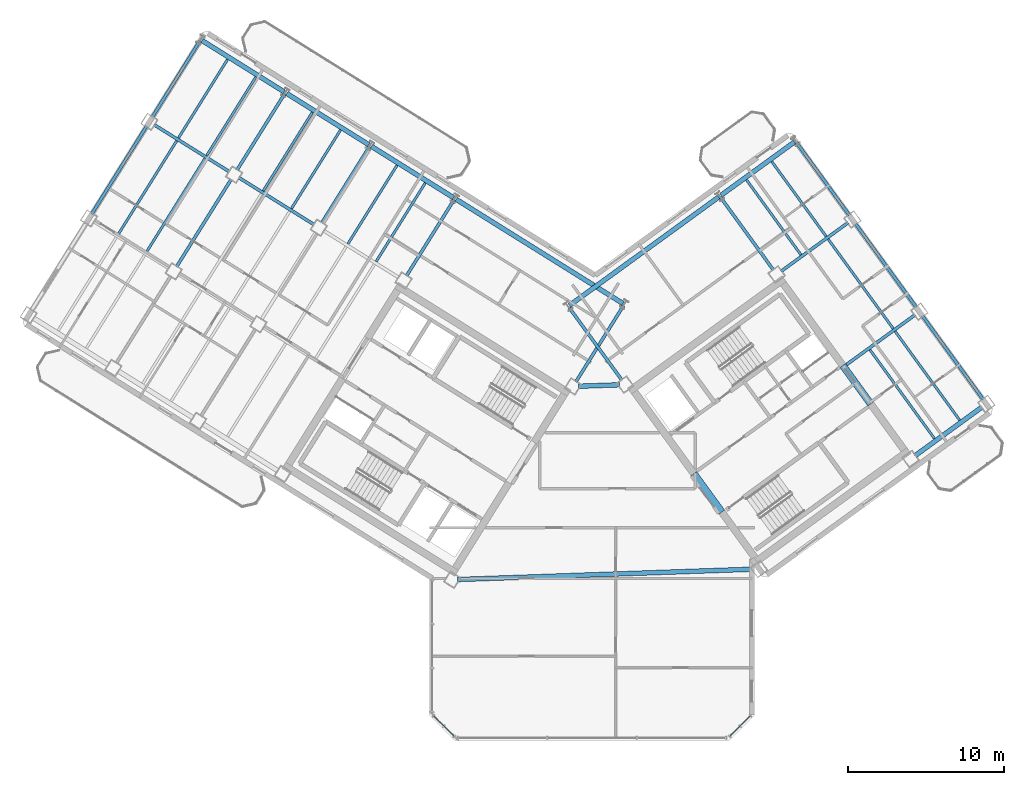
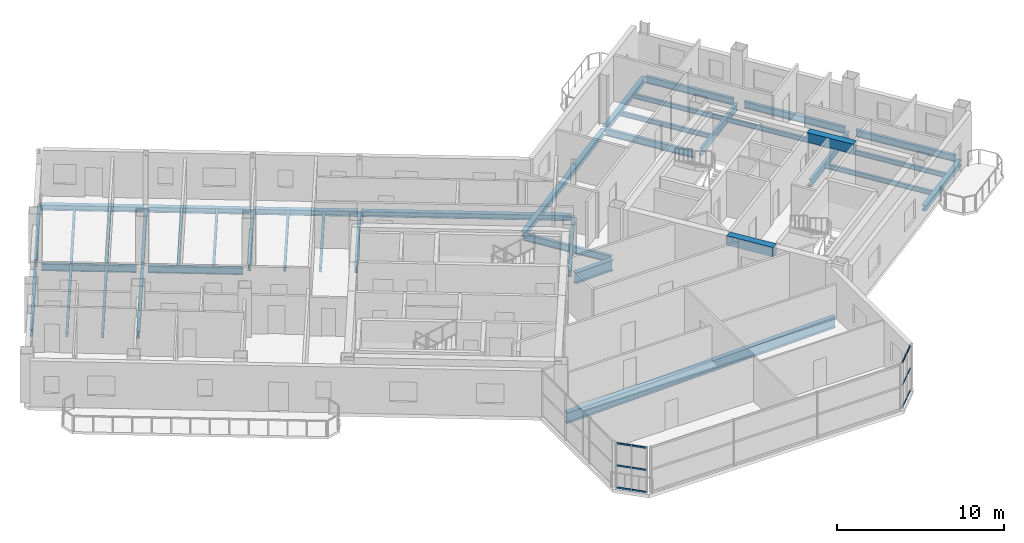
# One storey, part 7 of 20: 40 beams, 12 members, 2 elements without a shape of their own.
"""IFC4 building model written with IfcOpenShell, lengths in metres."""

from ifc_helpers import new_model, si_unit, direction, frame, origin, origin_2d, place, context, subcontext, project, spatial, rectangle, hollow_rectangle, i_section, extrude, source, transform, mapped, material, material_profile, profile_set, type_object, element, aggregate, save


model = new_model("IFC4")

# Units and contexts
model_context = context("Model", 3, precision=1e-05, world=origin(), true_north=direction((0.0, 1.0)))
body_context = subcontext(model_context, "Body", "Model", "MODEL_VIEW")
ifc_project = project(units=[si_unit("LENGTHUNIT", "METRE"), si_unit("AREAUNIT", "SQUARE_METRE"), si_unit("VOLUMEUNIT", "CUBIC_METRE"), si_unit("PLANEANGLEUNIT", "RADIAN"), si_unit("MASSUNIT", "GRAM", prefix="KILO")], contexts=[model_context])

# Site, building, storey
site_placement = place(None, origin())
site = spatial("IfcSite", under=ifc_project, at=site_placement, CompositionType="ELEMENT")
building_placement = place(site_placement, origin())
building = spatial("IfcBuilding", under=site, at=building_placement, Name="Tlacorven Tower", CompositionType="ELEMENT")
storey_placement = place(building_placement, frame((0.0, 0.0, 211.199951171875)))
storey = spatial("IfcBuildingStorey", under=building, at=storey_placement, Name="L53", CompositionType="ELEMENT", Elevation=211.199951171875)

# Beams
ifc_material_1 = material(Name="Concrete C60/75", Category="concrete")
ifc_material_profile_1 = material_profile(ifc_material_1, rectangle(XDim=0.449951171875, YDim=0.699951171875, at=origin_2d()), Name="RC 450X700")
ifc_profile_set_1 = profile_set([ifc_material_profile_1], Name="Concrete C60/75")
beam_type_1 = type_object("IfcBeamType", Name="BM-LNT-700", PredefinedType="LINTEL", material=ifc_profile_set_1)
shared_shape_1 = source(origin(), body_context, "Body", "SweptSolid", [
    extrude(rectangle(XDim=0.449951171875, YDim=0.699951171875, at=origin_2d()), origin(), (0.0, 0.0, 1.0), 3.050048828125),
])
for number, where, z_axis, x_axis, name in (
    (1, (50.318359375, 16.416015625, 3.0), (-0.587776590479, 0.80902328748, 0.0), (-0.80902328748, -0.587776590479, 0.0), "L53 E core coupling lintel beam E1"),
    (2, (59.856689453125, 23.345947265625, 3.0), (-0.587776590479, 0.80902328748, 0.0), (-0.80902328748, -0.587776590479, 0.0), "L53 E core coupling lintel beam E2"),
):
    element("IfcBeam", number, at=place(storey_placement, frame(where, z_axis=z_axis, x_axis=x_axis)), inside=storey, type_object=beam_type_1, Name=name, PredefinedType="LINTEL", context=body_context, shape_type="MappedRepresentation", body=[
        mapped(shared_shape_1, transform((0.0, 0.0, 0.0), scale=1.0)),
    ])
ifc_material_2 = material(Name="Steel S355J2", Category="steel")
ifc_material_profile_2 = material_profile(ifc_material_2, i_section(OverallWidth=0.300048828125, OverallDepth=0.800048828125, WebThickness=0.017578125, FlangeThickness=0.032958984375, at=origin_2d()), Name="HEB 800")
ifc_profile_set_2 = profile_set([ifc_material_profile_2], Name="Steel S355J2")
beam_type_2 = type_object("IfcBeamType", Name="BM-POD-800", PredefinedType="BEAM", material=ifc_profile_set_2)
shared_shape_2 = source(origin(), body_context, "Body", "SweptSolid", [
    extrude(i_section(OverallWidth=0.300048828125, OverallDepth=0.800048828125, WebThickness=0.017578125, FlangeThickness=0.032958984375, at=origin_2d()), origin(), (0.0, 0.0, 1.0), 2.642822265625),
])
beam_1_placement = place(storey_placement, frame((41.1328125, 24.480712890625, -0.64990234375), z_axis=(0.999393314814, 0.034828182629, 0.0), x_axis=(-0.034828182629, 0.999393314814, 0.0)))
element("IfcBeam", 3, at=beam_1_placement, inside=storey, type_object=beam_type_2, Name="L53 Knuckle Link Girder 1", PredefinedType="BEAM", context=body_context, shape_type="MappedRepresentation", body=[
    mapped(shared_shape_2, transform((0.0, 0.0, 0.0), scale=1.0)),
])
ifc_material_profile_3 = material_profile(ifc_material_2, i_section(OverallWidth=0.199951171875, OverallDepth=0.5, WebThickness=0.01025390625, FlangeThickness=0.01611328125, at=origin_2d()), Name="IPE 500")
ifc_profile_set_3 = profile_set([ifc_material_profile_3], Name="Steel S355J2")
beam_type_3 = type_object("IfcBeamType", Name="BM-TWR-500", PredefinedType="BEAM", material=ifc_profile_set_3)
shared_shape_3 = source(origin(), body_context, "Body", "SweptSolid", [
    extrude(i_section(OverallWidth=0.199951171875, OverallDepth=0.5, WebThickness=0.01025390625, FlangeThickness=0.01611328125, at=origin_2d()), origin(), (0.0, 0.0, 1.0), 5.7001953125),
])
for number, where, z_axis, x_axis, name in (
    (4, (24.20361328125, 34.828369140625, -0.5), (-0.848056048787, 0.529906537151, 0.0), (-0.529906537151, -0.848056048787, 0.0), "L53 beam BM-L53-WL2-4"),
    (5, (18.776123046875, 38.2197265625, -0.5), (-0.848056048787, 0.529906537151, 0.0), (-0.529906537151, -0.848056048787, 0.0), "L53 beam BM-L53-WL2-5"),
):
    element("IfcBeam", number, at=place(storey_placement, frame(where, z_axis=z_axis, x_axis=x_axis)), inside=storey, type_object=beam_type_3, Name=name, PredefinedType="BEAM", context=body_context, shape_type="MappedRepresentation", body=[
        mapped(shared_shape_3, transform((0.0, 0.0, 0.0), scale=1.0)),
    ])
shared_shape_4 = source(origin(), body_context, "Body", "SweptSolid", [
    extrude(i_section(OverallWidth=0.199951171875, OverallDepth=0.5, WebThickness=0.01025390625, FlangeThickness=0.01611328125, at=origin_2d()), origin(), (0.0, 0.0, 1.0), 5.75),
])
for number, where, z_axis, x_axis, name in (
    (6, (44.015380859375, 29.6416015625, -0.5), (-0.529884439831, -0.848069855864, 0.0), (0.848069855864, -0.529884439831, 0.0), "L53 beam BM-L53-WT1-1"),
    (7, (33.160400390625, 36.424560546875, -0.5), (-0.529884439831, -0.848069855864, 0.0), (0.848069855864, -0.529884439831, 0.0), "L53 beam BM-L53-WT3-1"),
    (8, (27.73291015625, 39.81591796875, -0.5), (-0.529934056882, -0.848038852504, 0.0), (0.848038852504, -0.529934056882, 0.0), "L53 beam BM-L53-WT4-1"),
    (9, (16.8779296875, 46.598876953125, -0.5), (-0.529934056882, -0.848038852504, 0.0), (0.848038852504, -0.529934056882, 0.0), "L53 beam BM-L53-WT6-1"),
    (10, (43.91796875, 24.8681640625, -0.5), (-0.587770208527, 0.809027924097, 0.0), (-0.809027924097, -0.587770208527, 0.0), "L53 beam BM-L53-ET1-2"),
    (11, (53.626220703125, 31.921630859375, -0.5), (-0.587770208527, 0.809027924097, 0.0), (-0.809027924097, -0.587770208527, 0.0), "L53 beam BM-L53-ET3-2"),
    (12, (58.480224609375, 35.4482421875, -0.5), (-0.587770208527, 0.809027924097, 0.0), (-0.809027924097, -0.587770208527, 0.0), "L53 beam BM-L53-ET4-3"),
):
    element("IfcBeam", number, at=place(storey_placement, frame(where, z_axis=z_axis, x_axis=x_axis)), inside=storey, type_object=beam_type_3, Name=name, PredefinedType="BEAM", context=body_context, shape_type="MappedRepresentation", body=[
        mapped(shared_shape_4, transform((0.0, 0.0, 0.0), scale=1.0)),
    ])
shared_shape_5 = source(origin(), body_context, "Body", "SweptSolid", [
    extrude(i_section(OverallWidth=0.199951171875, OverallDepth=0.5, WebThickness=0.01025390625, FlangeThickness=0.01611328125, at=origin_2d()), origin(), (0.0, 0.0, 1.0), 6.599853515625),
])
beam_2_placement = place(storey_placement, frame((13.4599609375, 41.12890625, -0.5), z_axis=(-0.529942412256, -0.848033631227, 0.0), x_axis=(0.848033631227, -0.529942412256, 0.0)))
element("IfcBeam", 13, at=beam_2_placement, inside=storey, type_object=beam_type_3, Name="L53 beam BM-L53-WT6-2", PredefinedType="BEAM", context=body_context, shape_type="MappedRepresentation", body=[
    mapped(shared_shape_5, transform((0.0, 0.0, 0.0), scale=1.0)),
])
shared_shape_6 = source(origin(), body_context, "Body", "SweptSolid", [
    extrude(i_section(OverallWidth=0.199951171875, OverallDepth=0.5, WebThickness=0.01025390625, FlangeThickness=0.01611328125, at=origin_2d()), origin(), (0.0, 0.0, 1.0), 6.60009765625),
])
for number, where, z_axis, x_axis, name in (
    (14, (18.887451171875, 37.737548828125, -0.5), (-0.529925788294, -0.848044019436, 0.0), (0.848044019436, -0.529925788294, 0.0), "L53 beam BM-L53-WT5-2"),
    (15, (67.06201171875, 23.63671875, -0.5), (-0.587780128583, 0.809020716943, 0.0), (-0.809020716943, -0.587780128583, 0.0), "L53 beam BM-L53-ET4-1"),
    (16, (62.771240234375, 29.54248046875, -0.5), (-0.587780128583, 0.809020716943, 0.0), (-0.809020716943, -0.587780128583, 0.0), "L53 beam BM-L53-ET4-2"),
):
    element("IfcBeam", number, at=place(storey_placement, frame(where, z_axis=z_axis, x_axis=x_axis)), inside=storey, type_object=beam_type_3, Name=name, PredefinedType="BEAM", context=body_context, shape_type="MappedRepresentation", body=[
        mapped(shared_shape_6, transform((0.0, 0.0, 0.0), scale=1.0)),
    ])
shared_shape_7 = source(origin(), body_context, "Body", "SweptSolid", [
    extrude(i_section(OverallWidth=0.199951171875, OverallDepth=0.5, WebThickness=0.01025390625, FlangeThickness=0.01611328125, at=origin_2d()), origin(), (0.0, 0.0, 1.0), 5.750244140625),
])
beam_3_placement = place(storey_placement, frame((22.305419921875, 43.20751953125, -0.5), z_axis=(-0.529914976044, -0.848050775699, 0.0), x_axis=(0.848050775699, -0.529914976044, 0.0)))
element("IfcBeam", 17, at=beam_3_placement, inside=storey, type_object=beam_type_3, Name="L53 beam BM-L53-WT5-1", PredefinedType="BEAM", context=body_context, shape_type="MappedRepresentation", body=[
    mapped(shared_shape_7, transform((0.0, 0.0, 0.0), scale=1.0)),
])
shared_shape_8 = source(origin(), body_context, "Body", "SweptSolid", [
    extrude(i_section(OverallWidth=0.199951171875, OverallDepth=0.5, WebThickness=0.01025390625, FlangeThickness=0.01611328125, at=origin_2d()), origin(), (0.0, 0.0, 1.0), 5.300048828125),
])
beam_4_placement = place(storey_placement, frame((54.114990234375, 31.84423828125, -0.5), z_axis=(0.809022830186, 0.587777219904, 0.0), x_axis=(-0.587777219904, 0.809022830186, 0.0)))
element("IfcBeam", 18, at=beam_4_placement, inside=storey, type_object=beam_type_3, Name="L53 beam BM-L53-EL3-3", PredefinedType="BEAM", context=body_context, shape_type="MappedRepresentation", body=[
    mapped(shared_shape_8, transform((0.0, 0.0, 0.0), scale=1.0)),
])
shared_shape_9 = source(origin(), body_context, "Body", "SweptSolid", [
    extrude(i_section(OverallWidth=0.199951171875, OverallDepth=0.5, WebThickness=0.01025390625, FlangeThickness=0.01611328125, at=origin_2d()), origin(), (0.0, 0.0, 1.0), 5.6103515625),
])
beam_5_placement = place(storey_placement, frame((58.155029296875, 25.756103515625, -0.5), z_axis=(0.809020142627, 0.587780919071, 0.0), x_axis=(-0.587780919071, 0.809020142627, 0.0)))
element("IfcBeam", 19, at=beam_5_placement, inside=storey, type_object=beam_type_3, Name="L53 beam BM-L53-EL2-3", PredefinedType="BEAM", context=body_context, shape_type="MappedRepresentation", body=[
    mapped(shared_shape_9, transform((0.0, 0.0, 0.0), scale=1.0)),
])
shared_shape_10 = source(origin(), body_context, "Body", "SweptSolid", [
    extrude(i_section(OverallWidth=0.300048828125, OverallDepth=0.800048828125, WebThickness=0.017578125, FlangeThickness=0.032958984375, at=origin_2d()), origin(), (0.0, 0.0, 1.0), 18.97119140625),
])
beam_6_placement = place(storey_placement, frame((33.39599609375, 12.09912109375, -0.64990234375), z_axis=(0.999390787537, 0.034900627304, 0.0), x_axis=(-0.034900627304, 0.999390787537, 0.0)))
element("IfcBeam", 20, at=beam_6_placement, inside=storey, type_object=beam_type_2, Name="L53 Knuckle Link Girder 2", PredefinedType="BEAM", context=body_context, shape_type="MappedRepresentation", body=[
    mapped(shared_shape_10, transform((0.0, 0.0, 0.0), scale=1.0)),
])
ifc_material_profile_4 = material_profile(ifc_material_2, i_section(OverallWidth=0.159912109375, OverallDepth=0.330078125, WebThickness=0.007568359375, FlangeThickness=0.011474609375, at=origin_2d()), Name="IPE 330")
ifc_profile_set_4 = profile_set([ifc_material_profile_4], Name="Steel S355J2")
beam_type_4 = type_object("IfcBeamType", Name="BM-JST-330", PredefinedType="JOIST", material=ifc_profile_set_4)
shared_shape_11 = source(origin(), body_context, "Body", "SweptSolid", [
    extrude(i_section(OverallWidth=0.159912109375, OverallDepth=0.330078125, WebThickness=0.007568359375, FlangeThickness=0.011474609375, at=origin_2d()), origin(), (0.0, 0.0, 1.0), 7.0400390625),
])
beam_7_placement = place(storey_placement, frame((63.9404296875, 21.127685546875, -0.4150390625), z_axis=(-0.587773661987, 0.809025415098, 0.0), x_axis=(-0.809025415098, -0.587773661987, 0.0)))
element("IfcBeam", 21, at=beam_7_placement, inside=storey, type_object=beam_type_4, Name="L53 beam BM-L53-EJ3-1-1", PredefinedType="JOIST", context=body_context, shape_type="MappedRepresentation", body=[
    mapped(shared_shape_11, transform((0.0, 0.0, 0.0), scale=1.0)),
])
shared_shape_12 = source(origin(), body_context, "Body", "SweptSolid", [
    extrude(i_section(OverallWidth=0.159912109375, OverallDepth=0.330078125, WebThickness=0.007568359375, FlangeThickness=0.011474609375, at=origin_2d()), origin(), (0.0, 0.0, 1.0), 5.940185546875),
])
for number, where, z_axis, x_axis, name in (
    (22, (29.512939453125, 38.638916015625, -0.4150390625), (-0.529902882565, -0.848058332339, 0.0), (0.848058332339, -0.529902882565, 0.0), "L53 beam BM-L53-WJ3-1-2"),
    (23, (25.894775390625, 40.899658203125, -0.4150390625), (-0.529950911506, -0.848028319924, 0.0), (0.848028319924, -0.529950911506, 0.0), "L53 beam BM-L53-WJ4-1-1"),
    (24, (18.657958984375, 45.421875, -0.4150390625), (-0.529902882565, -0.848058332339, 0.0), (0.848058332339, -0.529902882565, 0.0), "L53 beam BM-L53-WJ5-1-2"),
    (25, (55.38818359375, 32.89892578125, -0.4150390625), (-0.587778174144, 0.809022136903, 0.0), (-0.809022136903, -0.587778174144, 0.0), "L53 beam BM-L53-EJ3-3-1"),
    (26, (57.00634765625, 34.074462890625, -0.4150390625), (-0.587778174144, 0.809022136903, 0.0), (-0.809022136903, -0.587778174144, 0.0), "L53 beam BM-L53-EJ3-3-2"),
):
    element("IfcBeam", number, at=place(storey_placement, frame(where, z_axis=z_axis, x_axis=x_axis)), inside=storey, type_object=beam_type_4, Name=name, PredefinedType="JOIST", context=body_context, shape_type="MappedRepresentation", body=[
        mapped(shared_shape_12, transform((0.0, 0.0, 0.0), scale=1.0)),
    ])
shared_shape_13 = source(origin(), body_context, "Body", "SweptSolid", [
    extrude(i_section(OverallWidth=0.159912109375, OverallDepth=0.330078125, WebThickness=0.007568359375, FlangeThickness=0.011474609375, at=origin_2d()), origin(), (0.0, 0.0, 1.0), 7.090087890625),
])
for number, where, z_axis, x_axis, name in (
    (27, (17.208251953125, 39.07568359375, -0.4150390625), (-0.529937035031, -0.848036991471, 0.0), (0.848036991471, -0.529937035031, 0.0), "L53 beam BM-L53-WJ5-2-1"),
    (28, (15.39892578125, 40.206298828125, -0.4150390625), (-0.529912270669, -0.84805246618, 0.0), (0.84805246618, -0.529912270669, 0.0), "L53 beam BM-L53-WJ5-2-2"),
    (29, (61.297119140625, 28.168701171875, -0.4150390625), (-0.587782622309, 0.809018905164, 0.0), (-0.809018905164, -0.587782622309, 0.0), "L53 beam BM-L53-EJ3-2-2"),
):
    element("IfcBeam", number, at=place(storey_placement, frame(where, z_axis=z_axis, x_axis=x_axis)), inside=storey, type_object=beam_type_4, Name=name, PredefinedType="JOIST", context=body_context, shape_type="MappedRepresentation", body=[
        mapped(shared_shape_13, transform((0.0, 0.0, 0.0), scale=1.0)),
    ])
shared_shape_14 = source(origin(), body_context, "Body", "SweptSolid", [
    extrude(i_section(OverallWidth=0.159912109375, OverallDepth=0.330078125, WebThickness=0.007568359375, FlangeThickness=0.011474609375, at=origin_2d()), origin(), (0.0, 0.0, 1.0), 5.93994140625),
])
for number, where, z_axis, x_axis, name in (
    (30, (31.322265625, 37.50830078125, -0.4150390625), (-0.529921352973, -0.848046790963, 0.0), (0.848046790963, -0.529921352973, 0.0), "L53 beam BM-L53-WJ3-1-1"),
    (31, (24.08544921875, 42.0302734375, -0.4150390625), (-0.529921352973, -0.848046790963, 0.0), (0.848046790963, -0.529921352973, 0.0), "L53 beam BM-L53-WJ4-1-2"),
    (32, (20.467041015625, 44.291259765625, -0.4150390625), (-0.529921352973, -0.848046790963, 0.0), (0.848046790963, -0.529921352973, 0.0), "L53 beam BM-L53-WJ5-1-1"),
):
    element("IfcBeam", number, at=place(storey_placement, frame(where, z_axis=z_axis, x_axis=x_axis)), inside=storey, type_object=beam_type_4, Name=name, PredefinedType="JOIST", context=body_context, shape_type="MappedRepresentation", body=[
        mapped(shared_shape_14, transform((0.0, 0.0, 0.0), scale=1.0)),
    ])
shared_shape_15 = source(origin(), body_context, "Body", "SweptSolid", [
    extrude(i_section(OverallWidth=0.159912109375, OverallDepth=0.330078125, WebThickness=0.007568359375, FlangeThickness=0.011474609375, at=origin_2d()), origin(), (0.0, 0.0, 1.0), 7.039794921875),
])
beam_8_placement = place(storey_placement, frame((65.55859375, 22.303466796875, -0.4150390625), z_axis=(-0.587790152999, 0.809013433781, 0.0), x_axis=(-0.809013433781, -0.587790152999, 0.0)))
element("IfcBeam", 33, at=beam_8_placement, inside=storey, type_object=beam_type_4, Name="L53 beam BM-L53-EJ3-1-2", PredefinedType="JOIST", context=body_context, shape_type="MappedRepresentation", body=[
    mapped(shared_shape_15, transform((0.0, 0.0, 0.0), scale=1.0)),
])
ifc_material_profile_5 = material_profile(ifc_material_2, i_section(OverallWidth=0.300048828125, OverallDepth=0.389892578125, WebThickness=0.010986328125, FlangeThickness=0.01904296875, at=origin_2d()), Name="HEA 400")
ifc_profile_set_5 = profile_set([ifc_material_profile_5], Name="Steel S355J2")
beam_type_5 = type_object("IfcBeamType", Name="BM-SPN-400", PredefinedType="SPANDREL", material=ifc_profile_set_5)
shared_shape_16 = source(origin(), body_context, "Body", "SweptSolid", [
    extrude(i_section(OverallWidth=0.300048828125, OverallDepth=0.389892578125, WebThickness=0.010986328125, FlangeThickness=0.01904296875, at=origin_2d()), origin(), (0.0, 0.0, 1.0), 12.599853515625),
])
beam_9_placement = place(storey_placement, frame((43.983642578125, 29.779296875, -0.445068359375), z_axis=(-0.848045108756, 0.529924045043, 0.0), x_axis=(-0.529924045043, -0.848045108756, 0.0)))
element("IfcBeam", 34, at=beam_9_placement, inside=storey, type_object=beam_type_5, Name="L53 beam BM-L53-WL1-1", PredefinedType="SPANDREL", context=body_context, shape_type="MappedRepresentation", body=[
    mapped(shared_shape_16, transform((0.0, 0.0, 0.0), scale=1.0)),
])
shared_shape_17 = source(origin(), body_context, "Body", "SweptSolid", [
    extrude(i_section(OverallWidth=0.300048828125, OverallDepth=0.389892578125, WebThickness=0.010986328125, FlangeThickness=0.01904296875, at=origin_2d()), origin(), (0.0, 0.0, 1.0), 6.199951171875),
])
beam_10_placement = place(storey_placement, frame((33.128662109375, 36.562255859375, -0.445068359375), z_axis=(-0.848051394107, 0.529913986372, 0.0), x_axis=(-0.529913986372, -0.848051394107, 0.0)))
element("IfcBeam", 35, at=beam_10_placement, inside=storey, type_object=beam_type_5, Name="L53 beam BM-L53-WL1-3", PredefinedType="SPANDREL", context=body_context, shape_type="MappedRepresentation", body=[
    mapped(shared_shape_17, transform((0.0, 0.0, 0.0), scale=1.0)),
])
shared_shape_18 = source(origin(), body_context, "Body", "SweptSolid", [
    extrude(i_section(OverallWidth=0.300048828125, OverallDepth=0.389892578125, WebThickness=0.010986328125, FlangeThickness=0.01904296875, at=origin_2d()), origin(), (0.0, 0.0, 1.0), 6.2001953125),
])
for number, where, z_axis, x_axis, name in (
    (36, (27.701171875, 39.95361328125, -0.445068359375), (-0.84804475579, 0.5299246099, 0.0), (-0.5299246099, -0.84804475579, 0.0), "L53 beam BM-L53-WL1-4"),
    (37, (22.273681640625, 43.34521484375, -0.445068359375), (-0.848062451332, 0.529896290457, 0.0), (-0.529896290457, -0.848062451332, 0.0), "L53 beam BM-L53-WL1-5"),
):
    element("IfcBeam", number, at=place(storey_placement, frame(where, z_axis=z_axis, x_axis=x_axis)), inside=storey, type_object=beam_type_5, Name=name, PredefinedType="SPANDREL", context=body_context, shape_type="MappedRepresentation", body=[
        mapped(shared_shape_18, transform((0.0, 0.0, 0.0), scale=1.0)),
    ])
shared_shape_19 = source(origin(), body_context, "Body", "SweptSolid", [
    extrude(i_section(OverallWidth=0.300048828125, OverallDepth=0.389892578125, WebThickness=0.010986328125, FlangeThickness=0.01904296875, at=origin_2d()), origin(), (0.0, 0.0, 1.0), 5.300048828125),
])
beam_11_placement = place(storey_placement, frame((62.69677734375, 20.032470703125, -0.445068359375), z_axis=(0.809022830186, 0.587777219904, 0.0), x_axis=(-0.587777219904, 0.809022830186, 0.0)))
element("IfcBeam", 38, at=beam_11_placement, inside=storey, type_object=beam_type_5, Name="L53 beam BM-L53-EL1-3", PredefinedType="SPANDREL", context=body_context, shape_type="MappedRepresentation", body=[
    mapped(shared_shape_19, transform((0.0, 0.0, 0.0), scale=1.0)),
])
shared_shape_20 = source(origin(), body_context, "Body", "SweptSolid", [
    extrude(i_section(OverallWidth=0.300048828125, OverallDepth=0.389892578125, WebThickness=0.010986328125, FlangeThickness=0.01904296875, at=origin_2d()), origin(), (0.0, 0.0, 1.0), 11.800048828125),
])
beam_12_placement = place(storey_placement, frame((40.560302734375, 29.65966796875, -0.445068359375), z_axis=(0.80900977213, 0.587795192732, 0.0), x_axis=(-0.587795192732, 0.80900977213, 0.0)))
element("IfcBeam", 39, at=beam_12_placement, inside=storey, type_object=beam_type_5, Name="L53 beam BM-L53-EL4-1", PredefinedType="SPANDREL", context=body_context, shape_type="MappedRepresentation", body=[
    mapped(shared_shape_20, transform((0.0, 0.0, 0.0), scale=1.0)),
])
shared_shape_21 = source(origin(), body_context, "Body", "SweptSolid", [
    extrude(i_section(OverallWidth=0.300048828125, OverallDepth=0.389892578125, WebThickness=0.010986328125, FlangeThickness=0.01904296875, at=origin_2d()), origin(), (0.0, 0.0, 1.0), 5.800048828125),
])
beam_13_placement = place(storey_placement, frame((50.2685546875, 36.713134765625, -0.445068359375), z_axis=(0.809019944521, 0.587781191743, 0.0), x_axis=(-0.587781191743, 0.809019944521, 0.0)))
element("IfcBeam", 40, at=beam_13_placement, inside=storey, type_object=beam_type_5, Name="L53 beam BM-L53-EL4-3", PredefinedType="SPANDREL", context=body_context, shape_type="MappedRepresentation", body=[
    mapped(shared_shape_21, transform((0.0, 0.0, 0.0), scale=1.0)),
])

# Curtain wall, members
ifc_material_3 = material(Name="Dark solar low-E double glazing in aluminium frame", Category="aluminium")
curtain_wall_type = type_object("IfcCurtainWallType", Name="CW-TWR-HIGH", PredefinedType="USERDEFINED", material=ifc_material_3)
curtain_wall_1_placement = place(storey_placement, origin())
curtain_wall_1 = element("IfcCurtainWall", 41, at=curtain_wall_1_placement, inside=storey, type_object=curtain_wall_type, Name="L53 CW-TWR-HIGH Curtain Wall 240", ObjectType="UNITISED CURTAIN WALL", PredefinedType="USERDEFINED")
ifc_material_4 = material(Name="Aluminium 6063-T6 anodised", Category="aluminium")
ifc_material_profile_6 = material_profile(ifc_material_4, hollow_rectangle(XDim=0.054931640625, YDim=0.1201171875, WallThickness=0.00341796875, at=origin_2d()), Name="ALU TRANSOM 55X120")
ifc_profile_set_6 = profile_set([ifc_material_profile_6], Name="Aluminium 6063-T6 anodised")
member_type = type_object("IfcMemberType", Name="CWT-03", PredefinedType="USERDEFINED", material=ifc_profile_set_6)
shared_shape_22 = source(origin(), body_context, "Body", "SweptSolid", [
    extrude(hollow_rectangle(XDim=0.054931640625, YDim=0.1201171875, WallThickness=0.00341796875, at=origin_2d()), origin(), (0.0, 0.0, 1.0), 0.899169921875),
])
member_1_placement = place(storey_placement, frame((52.13525390625, 3.361572265625, 0.06005859375), z_axis=(-0.707106781187, -0.707106781187, 0.0), x_axis=(0.707106781187, -0.707106781187, 0.0)))
member_1 = element("IfcMember", 42, at=member_1_placement, type_object=member_type, Name="CW-L53-240 Transom 1", ObjectType="TRANSOM", PredefinedType="USERDEFINED", context=body_context, shape_type="MappedRepresentation", body=[
    mapped(shared_shape_22, transform((0.0, 0.0, 0.0), scale=1.0)),
])
member_2_placement = place(storey_placement, frame((52.13525390625, 3.361572265625, 1.675048828125), z_axis=(-0.707106781187, -0.707106781187, 0.0), x_axis=(0.707106781187, -0.707106781187, 0.0)))
member_2 = element("IfcMember", 43, at=member_2_placement, type_object=member_type, Name="CW-L53-240 Transom 2", ObjectType="TRANSOM", PredefinedType="USERDEFINED", context=body_context, shape_type="MappedRepresentation", body=[
    mapped(shared_shape_22, transform((0.0, 0.0, 0.0), scale=1.0)),
])
member_3_placement = place(storey_placement, frame((52.13525390625, 3.361572265625, 3.2900390625), z_axis=(-0.707106781187, -0.707106781187, 0.0), x_axis=(0.707106781187, -0.707106781187, 0.0)))
member_3 = element("IfcMember", 44, at=member_3_placement, type_object=member_type, Name="CW-L53-240 Transom 3", ObjectType="TRANSOM", PredefinedType="USERDEFINED", context=body_context, shape_type="MappedRepresentation", body=[
    mapped(shared_shape_22, transform((0.0, 0.0, 0.0), scale=1.0)),
])
member_4_placement = place(storey_placement, frame((51.47412109375, 2.700439453125, 0.06005859375), z_axis=(-0.707106781187, -0.707106781187, 0.0), x_axis=(0.707106781187, -0.707106781187, 0.0)))
member_4 = element("IfcMember", 45, at=member_4_placement, type_object=member_type, Name="CW-L53-240 Transom 4", ObjectType="TRANSOM", PredefinedType="USERDEFINED", context=body_context, shape_type="MappedRepresentation", body=[
    mapped(shared_shape_22, transform((0.0, 0.0, 0.0), scale=1.0)),
])
member_5_placement = place(storey_placement, frame((51.47412109375, 2.700439453125, 1.675048828125), z_axis=(-0.707106781187, -0.707106781187, 0.0), x_axis=(0.707106781187, -0.707106781187, 0.0)))
member_5 = element("IfcMember", 46, at=member_5_placement, type_object=member_type, Name="CW-L53-240 Transom 5", ObjectType="TRANSOM", PredefinedType="USERDEFINED", context=body_context, shape_type="MappedRepresentation", body=[
    mapped(shared_shape_22, transform((0.0, 0.0, 0.0), scale=1.0)),
])
member_6_placement = place(storey_placement, frame((51.47412109375, 2.700439453125, 3.2900390625), z_axis=(-0.707106781187, -0.707106781187, 0.0), x_axis=(0.707106781187, -0.707106781187, 0.0)))
member_6 = element("IfcMember", 47, at=member_6_placement, type_object=member_type, Name="CW-L53-240 Transom 6", ObjectType="TRANSOM", PredefinedType="USERDEFINED", context=body_context, shape_type="MappedRepresentation", body=[
    mapped(shared_shape_22, transform((0.0, 0.0, 0.0), scale=1.0)),
])
aggregate(curtain_wall_1, [member_1, member_2, member_3, member_4, member_5, member_6])

curtain_wall_2_placement = place(storey_placement, origin())
curtain_wall_2 = element("IfcCurtainWall", 48, at=curtain_wall_2_placement, inside=storey, type_object=curtain_wall_type, Name="L53 CW-TWR-HIGH Curtain Wall 242", ObjectType="UNITISED CURTAIN WALL", PredefinedType="USERDEFINED")
member_7_placement = place(storey_placement, frame((33.16162109375, 2.064697265625, 0.06005859375), z_axis=(-0.707106781187, 0.707106781187, 0.0), x_axis=(-0.707106781187, -0.707106781187, 0.0)))
member_7 = element("IfcMember", 49, at=member_7_placement, type_object=member_type, Name="CW-L53-242 Transom 1", ObjectType="TRANSOM", PredefinedType="USERDEFINED", context=body_context, shape_type="MappedRepresentation", body=[
    mapped(shared_shape_22, transform((0.0, 0.0, 0.0), scale=1.0)),
])
member_8_placement = place(storey_placement, frame((33.16162109375, 2.064697265625, 1.675048828125), z_axis=(-0.707106781187, 0.707106781187, 0.0), x_axis=(-0.707106781187, -0.707106781187, 0.0)))
member_8 = element("IfcMember", 50, at=member_8_placement, type_object=member_type, Name="CW-L53-242 Transom 2", ObjectType="TRANSOM", PredefinedType="USERDEFINED", context=body_context, shape_type="MappedRepresentation", body=[
    mapped(shared_shape_22, transform((0.0, 0.0, 0.0), scale=1.0)),
])
member_9_placement = place(storey_placement, frame((33.16162109375, 2.064697265625, 3.2900390625), z_axis=(-0.707106781187, 0.707106781187, 0.0), x_axis=(-0.707106781187, -0.707106781187, 0.0)))
member_9 = element("IfcMember", 51, at=member_9_placement, type_object=member_type, Name="CW-L53-242 Transom 3", ObjectType="TRANSOM", PredefinedType="USERDEFINED", context=body_context, shape_type="MappedRepresentation", body=[
    mapped(shared_shape_22, transform((0.0, 0.0, 0.0), scale=1.0)),
])
member_10_placement = place(storey_placement, frame((32.50048828125, 2.725830078125, 0.06005859375), z_axis=(-0.707106781187, 0.707106781187, 0.0), x_axis=(-0.707106781187, -0.707106781187, 0.0)))
member_10 = element("IfcMember", 52, at=member_10_placement, type_object=member_type, Name="CW-L53-242 Transom 4", ObjectType="TRANSOM", PredefinedType="USERDEFINED", context=body_context, shape_type="MappedRepresentation", body=[
    mapped(shared_shape_22, transform((0.0, 0.0, 0.0), scale=1.0)),
])
member_11_placement = place(storey_placement, frame((32.50048828125, 2.725830078125, 1.675048828125), z_axis=(-0.707106781187, 0.707106781187, 0.0), x_axis=(-0.707106781187, -0.707106781187, 0.0)))
member_11 = element("IfcMember", 53, at=member_11_placement, type_object=member_type, Name="CW-L53-242 Transom 5", ObjectType="TRANSOM", PredefinedType="USERDEFINED", context=body_context, shape_type="MappedRepresentation", body=[
    mapped(shared_shape_22, transform((0.0, 0.0, 0.0), scale=1.0)),
])
member_12_placement = place(storey_placement, frame((32.50048828125, 2.725830078125, 3.2900390625), z_axis=(-0.707106781187, 0.707106781187, 0.0), x_axis=(-0.707106781187, -0.707106781187, 0.0)))
member_12 = element("IfcMember", 54, at=member_12_placement, type_object=member_type, Name="CW-L53-242 Transom 6", ObjectType="TRANSOM", PredefinedType="USERDEFINED", context=body_context, shape_type="MappedRepresentation", body=[
    mapped(shared_shape_22, transform((0.0, 0.0, 0.0), scale=1.0)),
])
aggregate(curtain_wall_2, [member_7, member_8, member_9, member_10, member_11, member_12])

save(model, "model.ifc")
